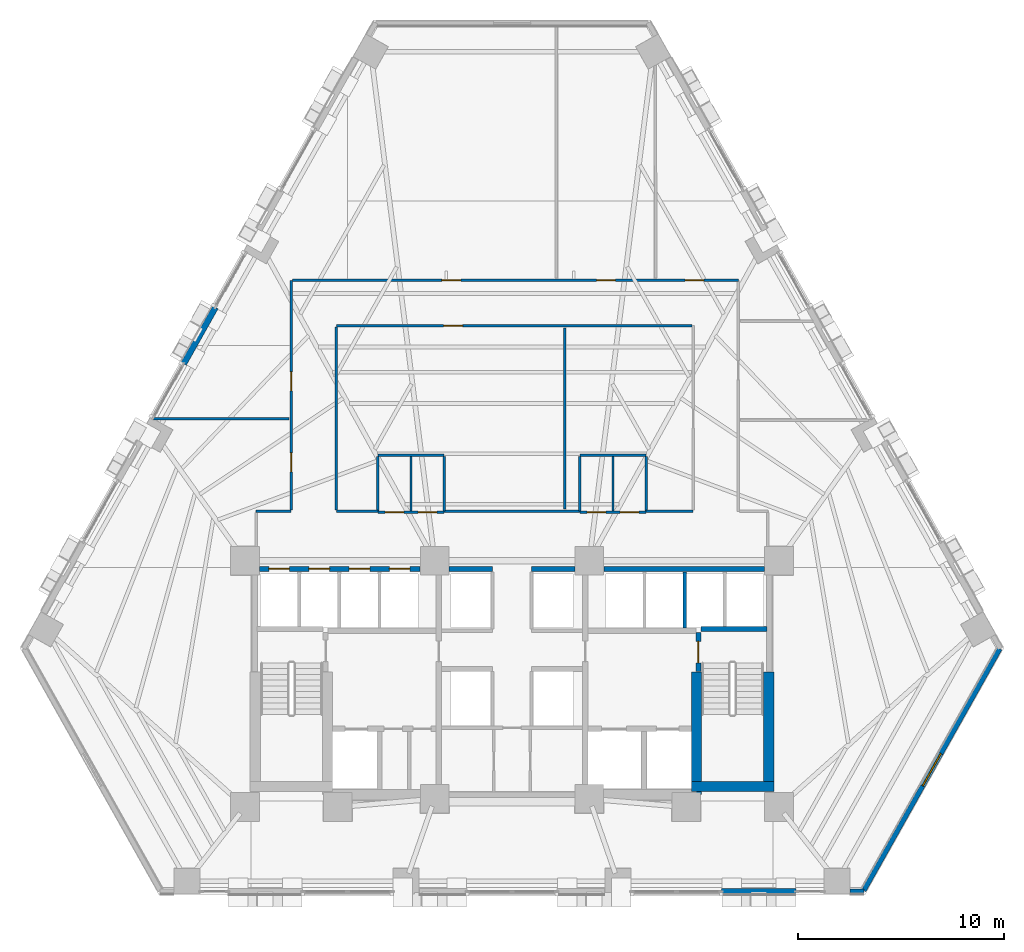
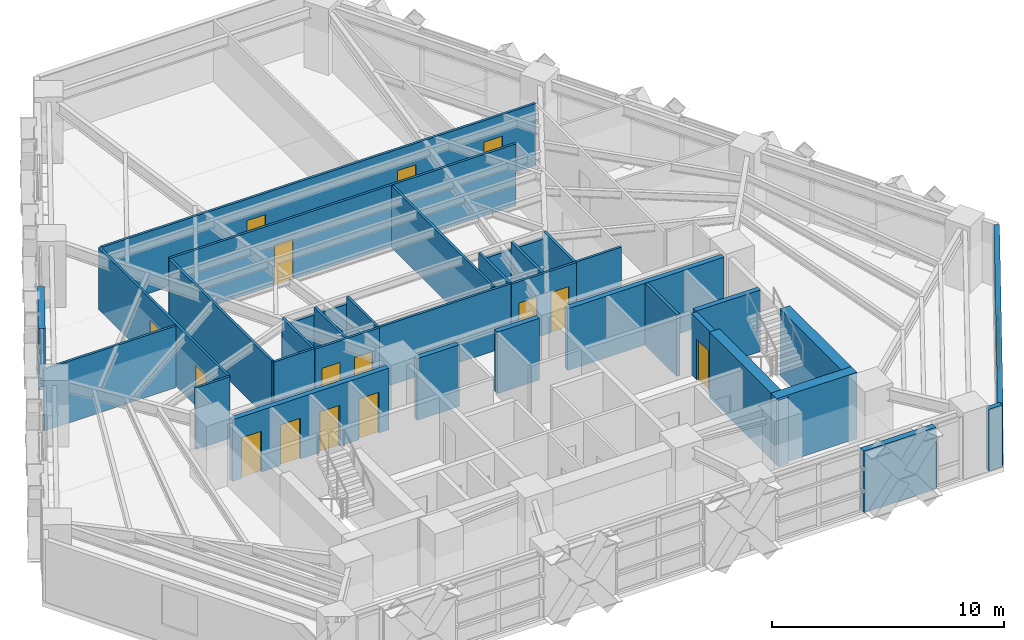
# One storey, part 8 of 13: 34 walls, 15 doors, 1 window, 16 openings.
"""IFC4 building model written with IfcOpenShell, lengths in metres."""

from ifc_helpers import new_model, si_unit, direction, frame, frame_2d, origin, place, context, subcontext, project, spatial, rectangle, extrude, material, layer, layer_set, type_object, element, fill, save


model = new_model("IFC4")

# Units and contexts
model_context = context("Model", 3, precision=1e-05, world=origin(), true_north=direction((0.0, 1.0)))
body_context = subcontext(model_context, "Body", "Model", "MODEL_VIEW")
ifc_project = project(units=[si_unit("LENGTHUNIT", "METRE"), si_unit("AREAUNIT", "SQUARE_METRE"), si_unit("VOLUMEUNIT", "CUBIC_METRE"), si_unit("PLANEANGLEUNIT", "RADIAN"), si_unit("MASSUNIT", "GRAM", prefix="KILO")], contexts=[model_context])

# Site, building, storey
site_placement = place(None, origin())
site = spatial("IfcSite", under=ifc_project, at=site_placement, CompositionType="ELEMENT")
building_placement = place(site_placement, origin())
building = spatial("IfcBuilding", under=site, at=building_placement, Name="Quenlor Broadcast Tower", CompositionType="ELEMENT")
storey_placement = place(building_placement, frame((0.0, 0.0, 52.10009765625)))
storey = spatial("IfcBuildingStorey", under=building, at=storey_placement, Name="L13", CompositionType="ELEMENT", Elevation=52.10009765625)

# Walls
ifc_material_1 = material(Name="Concrete C65/80", Category="concrete")
ifc_layer_1 = layer(ifc_material_1, 0.5)
ifc_layer_set_1 = layer_set([ifc_layer_1], Name="Core Concrete C65/80 Shear Wall 500")
wall_type_1 = type_object("IfcWallType", Name="Core Concrete C65/80 Shear Wall 500", PredefinedType="SHEAR", material=ifc_layer_set_1)
wall_1_placement = place(storey_placement, frame((8.699951171875, -15.75, 0.0), z_axis=(0.0, 0.0, 1.0), x_axis=(1.0, 0.0, 0.0)))
element("IfcWall", 1, at=wall_1_placement, inside=storey, type_object=wall_type_1, Name="L13 Core Shear Wall WS-E2", PredefinedType="SHEAR", context=body_context, shape_type="SweptSolid", body=[
    extrude(rectangle(XDim=4.0, YDim=0.5, at=frame_2d((2.0, 0.0))), origin(), (0.0, 0.0, 1.0), 3.5),
])
wall_2_placement = place(storey_placement, frame((12.449951171875, -15.75, 0.0), z_axis=(0.0, 0.0, 1.0), x_axis=(0.0, 1.0, 0.0)))
element("IfcWall", 2, at=wall_2_placement, inside=storey, type_object=wall_type_1, Name="L13 Core Shear Wall WF-E", PredefinedType="SHEAR", context=body_context, shape_type="SweptSolid", body=[
    extrude(rectangle(XDim=5.550048828125, YDim=0.5, at=frame_2d((2.77490234375, 0.0))), origin(), (0.0, 0.0, 1.0), 3.5),
])
wall_3_placement = place(storey_placement, frame((8.949951171875, -16.14990234375, 0.0), z_axis=(0.0, 0.0, 1.0), x_axis=(0.0, 1.0, 0.0)))
element("IfcWall", 3, at=wall_3_placement, inside=storey, type_object=wall_type_1, Name="L13 Core Shear Wall WI-E", PredefinedType="SHEAR", context=body_context, shape_type="SweptSolid", body=[
    extrude(rectangle(XDim=5.949951171875, YDim=0.5, at=frame_2d((2.97509765625, 0.0))), origin(), (0.0, 0.0, 1.0), 3.5),
])

# Wall, opening, door
ifc_material_2 = material(Name="Concrete C40/50", Category="concrete")
ifc_layer_2 = layer(ifc_material_2, 0.25)
ifc_layer_set_2 = layer_set([ifc_layer_2], Name="Fire Rated Concrete C40/50 Core Wall 250")
wall_type_2 = type_object("IfcWallType", Name="Fire Rated Concrete C40/50 Core Wall 250", PredefinedType="PARTITIONING", material=ifc_layer_set_2)
wall_4_placement = place(storey_placement, frame((9.0400390625, -10.179931640625, 0.0), z_axis=(0.0, 0.0, 1.0), x_axis=(0.0, 1.0, 0.0)))
wall_4 = element("IfcWall", 4, at=wall_4_placement, inside=storey, type_object=wall_type_2, Name="L13 Interior Wall CW-ST2-DR", PredefinedType="PARTITIONING", context=body_context, shape_type="SweptSolid", body=[
    extrude(rectangle(XDim=1.89990234375, YDim=0.25, at=frame_2d((0.949951171875, 0.0))), origin(), (0.0, 0.0, 1.0), 3.25),
])
opening_1_placement = place(wall_4_placement, frame((0.419921875, 0.0, 0.0)))
opening_1 = element("IfcOpeningElement", 5, at=opening_1_placement, cuts=wall_4, Name="Opening FD-1", PredefinedType="OPENING", context=body_context, shape_type="SweptSolid", body=[
    extrude(rectangle(XDim=1.050048828125, YDim=2.14990234375, at=frame_2d((0.52490234375, 1.074951171875))), frame((0.0, 0.135009765625, 0.0), z_axis=(0.0, -1.0, 0.0), x_axis=(1.0, 0.0, 0.0)), (0.0, 0.0, 1.0), 0.27001953125),
])
ifc_material_3 = material(Name="Fire Rated Steel Door Leaf", Category="steel")
door_type_1 = type_object("IfcDoorType", Name="Fire Isolated Stair Door 1050x2150", OperationType="NOTDEFINED", PredefinedType="DOOR", material=ifc_material_3)
door_1_placement = place(opening_1_placement, origin())
door_1 = element("IfcDoor", 6, at=door_1_placement, inside=storey, type_object=door_type_1, Name="L13 Door DR-ST2", OperationType="SINGLE_SWING_RIGHT", OverallHeight=2.14990234375, OverallWidth=1.050048828125, PredefinedType="DOOR", context=body_context, shape_type="SweptSolid", body=[
    extrude(rectangle(XDim=1.050048828125, YDim=2.14990234375, at=frame_2d((0.52490234375, 1.074951171875))), frame((0.0, 0.02490234375, 0.0), z_axis=(0.0, -1.0, 0.0), x_axis=(1.0, 0.0, 0.0)), (0.0, 0.0, 1.0), 0.050048828125),
])
fill(opening_1, door_1)

# Wall
wall_5_placement = place(storey_placement, frame((9.159912109375, -8.1201171875, 0.0), z_axis=(0.0, 0.0, 1.0), x_axis=(1.0, 0.0, 0.0)))
element("IfcWall", 7, at=wall_5_placement, inside=storey, type_object=wall_type_2, Name="L13 Interior Wall CW-ST2-N", PredefinedType="PARTITIONING", context=body_context, shape_type="SweptSolid", body=[
    extrude(rectangle(XDim=3.219970703125, YDim=0.25, at=frame_2d((1.60986328125, 0.0))), origin(), (0.0, 0.0, 1.0), 3.25),
])

# Wall, openings, doors
wall_6_placement = place(storey_placement, frame((-12.248046875, -5.199951171875, 0.0), z_axis=(0.0, 0.0, 1.0), x_axis=(1.0, 0.0, 0.0)))
wall_6 = element("IfcWall", 8, at=wall_6_placement, inside=storey, type_object=wall_type_2, Name="L13 Interior Wall CW-N-W", PredefinedType="PARTITIONING", context=body_context, shape_type="SweptSolid", body=[
    extrude(rectangle(XDim=7.796142578125, YDim=0.25, at=frame_2d((3.89794921875, 0.0))), origin(), (0.0, 0.0, 1.0), 3.25),
])
opening_2_placement = place(wall_6_placement, frame((0.447998046875, 0.0, 0.0)))
opening_2 = element("IfcOpeningElement", 9, at=opening_2_placement, cuts=wall_6, Name="Opening LD-PL-L1", PredefinedType="OPENING", context=body_context, shape_type="SweptSolid", body=[
    extrude(rectangle(XDim=1.0, YDim=2.14990234375, at=frame_2d((0.5, 1.074951171875))), frame((0.0, 0.135009765625, 0.0), z_axis=(0.0, -1.0, 0.0), x_axis=(1.0, 0.0, 0.0)), (0.0, 0.0, 1.0), 0.27001953125),
])
opening_3_placement = place(wall_6_placement, frame((2.39794921875, 0.0, 0.0)))
opening_3 = element("IfcOpeningElement", 10, at=opening_3_placement, cuts=wall_6, Name="Opening LD-PL-L2", PredefinedType="OPENING", context=body_context, shape_type="SweptSolid", body=[
    extrude(rectangle(XDim=1.0, YDim=2.14990234375, at=frame_2d((0.5, 1.074951171875))), frame((0.0, 0.135009765625, 0.0), z_axis=(0.0, -1.0, 0.0), x_axis=(1.0, 0.0, 0.0)), (0.0, 0.0, 1.0), 0.27001953125),
])
opening_4_placement = place(wall_6_placement, frame((4.347900390625, 0.0, 0.0)))
opening_4 = element("IfcOpeningElement", 11, at=opening_4_placement, cuts=wall_6, Name="Opening LD-PL-L3", PredefinedType="OPENING", context=body_context, shape_type="SweptSolid", body=[
    extrude(rectangle(XDim=1.0, YDim=2.14990234375, at=frame_2d((0.5, 1.074951171875))), frame((0.0, 0.135009765625, 0.0), z_axis=(0.0, -1.0, 0.0), x_axis=(1.0, 0.0, 0.0)), (0.0, 0.0, 1.0), 0.27001953125),
])
opening_5_placement = place(wall_6_placement, frame((6.298095703125, 0.0, 0.0)))
opening_5 = element("IfcOpeningElement", 12, at=opening_5_placement, cuts=wall_6, Name="Opening LD-PL-L4", PredefinedType="OPENING", context=body_context, shape_type="SweptSolid", body=[
    extrude(rectangle(XDim=1.0, YDim=2.14990234375, at=frame_2d((0.5, 1.074951171875))), frame((0.0, 0.135009765625, 0.0), z_axis=(0.0, -1.0, 0.0), x_axis=(1.0, 0.0, 0.0)), (0.0, 0.0, 1.0), 0.27001953125),
])
ifc_material_4 = material(Name="Brushed Stainless Steel", Category="steel")
door_type_2 = type_object("IfcDoorType", Name="Passenger Lift Sliding Landing Door 1000x2150", OperationType="NOTDEFINED", PredefinedType="DOOR", material=ifc_material_4)
door_2_placement = place(opening_2_placement, origin())
door_2 = element("IfcDoor", 13, at=door_2_placement, inside=storey, type_object=door_type_2, Name="L13 Door LD-PL-L1", OperationType="SLIDING_TO_LEFT", OverallHeight=2.14990234375, OverallWidth=1.0, PredefinedType="DOOR", context=body_context, shape_type="SweptSolid", body=[
    extrude(rectangle(XDim=1.0, YDim=2.14990234375, at=frame_2d((0.5, 1.074951171875))), frame((0.0, 0.02490234375, 0.0), z_axis=(0.0, -1.0, 0.0), x_axis=(1.0, 0.0, 0.0)), (0.0, 0.0, 1.0), 0.050048828125),
])
fill(opening_2, door_2)
door_3_placement = place(opening_3_placement, origin())
door_3 = element("IfcDoor", 14, at=door_3_placement, inside=storey, type_object=door_type_2, Name="L13 Door LD-PL-L2", OperationType="SLIDING_TO_LEFT", OverallHeight=2.14990234375, OverallWidth=1.0, PredefinedType="DOOR", context=body_context, shape_type="SweptSolid", body=[
    extrude(rectangle(XDim=1.0, YDim=2.14990234375, at=frame_2d((0.5, 1.074951171875))), frame((0.0, 0.02490234375, 0.0), z_axis=(0.0, -1.0, 0.0), x_axis=(1.0, 0.0, 0.0)), (0.0, 0.0, 1.0), 0.050048828125),
])
fill(opening_3, door_3)
door_4_placement = place(opening_4_placement, origin())
door_4 = element("IfcDoor", 15, at=door_4_placement, inside=storey, type_object=door_type_2, Name="L13 Door LD-PL-L3", OperationType="SLIDING_TO_LEFT", OverallHeight=2.14990234375, OverallWidth=1.0, PredefinedType="DOOR", context=body_context, shape_type="SweptSolid", body=[
    extrude(rectangle(XDim=1.0, YDim=2.14990234375, at=frame_2d((0.5, 1.074951171875))), frame((0.0, 0.02490234375, 0.0), z_axis=(0.0, -1.0, 0.0), x_axis=(1.0, 0.0, 0.0)), (0.0, 0.0, 1.0), 0.050048828125),
])
fill(opening_4, door_4)
door_5_placement = place(opening_5_placement, origin())
door_5 = element("IfcDoor", 16, at=door_5_placement, inside=storey, type_object=door_type_2, Name="L13 Door LD-PL-L4", OperationType="SLIDING_TO_LEFT", OverallHeight=2.14990234375, OverallWidth=1.0, PredefinedType="DOOR", context=body_context, shape_type="SweptSolid", body=[
    extrude(rectangle(XDim=1.0, YDim=2.14990234375, at=frame_2d((0.5, 1.074951171875))), frame((0.0, 0.02490234375, 0.0), z_axis=(0.0, -1.0, 0.0), x_axis=(1.0, 0.0, 0.0)), (0.0, 0.0, 1.0), 0.050048828125),
])
fill(opening_5, door_5)

# Walls
wall_7_placement = place(storey_placement, frame((4.451904296875, -5.199951171875, 0.0), z_axis=(0.0, 0.0, 1.0), x_axis=(1.0, 0.0, 0.0)))
element("IfcWall", 17, at=wall_7_placement, inside=storey, type_object=wall_type_2, Name="L13 Interior Wall CW-N-E", PredefinedType="PARTITIONING", context=body_context, shape_type="SweptSolid", body=[
    extrude(rectangle(XDim=7.796142578125, YDim=0.25, at=frame_2d((3.89794921875, 0.0))), origin(), (0.0, 0.0, 1.0), 3.25),
])
for number, where, z_axis, x_axis, name in (
    (18, (-3.048095703125, -5.199951171875, 0.0), (0.0, 0.0, 1.0), (1.0, 0.0, 0.0), "L13 Interior Wall CW-N-M1"),
    (19, (0.949951171875, -5.199951171875, 0.0), (0.0, 0.0, 1.0), (1.0, 0.0, 0.0), "L13 Interior Wall CW-N-M2"),
):
    element("IfcWall", number, at=place(storey_placement, frame(where, z_axis=z_axis, x_axis=x_axis)), inside=storey, type_object=wall_type_2, Name=name, PredefinedType="PARTITIONING", context=body_context, shape_type="SweptSolid", body=[
        extrude(rectangle(XDim=2.09814453125, YDim=0.25, at=frame_2d((1.049072265625, 0.0))), origin(), (0.0, 0.0, 1.0), 3.25),
    ])
ifc_material_5 = material(Name="Gypsum Fireboard Partition", Category="other")
ifc_layer_3 = layer(ifc_material_5, 0.159912109375)
ifc_layer_set_3 = layer_set([ifc_layer_3], Name="Fire Rated Shaft and Corridor Partition 160")
wall_type_3 = type_object("IfcWallType", Name="Fire Rated Shaft and Corridor Partition 160", PredefinedType="PARTITIONING", material=ifc_layer_set_3)
wall_8_placement = place(storey_placement, frame((8.375, -8.072998046875, 0.0), z_axis=(0.0, 0.0, 1.0), x_axis=(0.0, 1.0, 0.0)))
element("IfcWall", 20, at=wall_8_placement, inside=storey, type_object=wall_type_3, Name="L13 Interior Wall CW-PLH-D2", PredefinedType="PARTITIONING", context=body_context, shape_type="SweptSolid", body=[
    extrude(rectangle(XDim=2.73291015625, YDim=0.159912109375, at=frame_2d((1.366455078125, 0.0))), origin(), (0.0, 0.0, 1.0), 3.25),
])

# Wall, openings, doors
ifc_material_6 = material(Name="Gypsum Plasterboard Partition", Category="other")
ifc_layer_4 = layer(ifc_material_6, 0.1201171875)
ifc_layer_set_4 = layer_set([ifc_layer_4], Name="Standard Office Partition 120")
wall_type_4 = type_object("IfcWallType", Name="Standard Office Partition 120", PredefinedType="PARTITIONING", material=ifc_layer_set_4)
wall_9_placement = place(storey_placement, frame((-6.510009765625, -2.43994140625, 0.0), z_axis=(0.0, 0.0, 1.0), x_axis=(1.0, 0.0, 0.0)))
wall_9 = element("IfcWall", 21, at=wall_9_placement, inside=storey, type_object=wall_type_4, Name="L13 Interior Wall PW-WCW-S", PredefinedType="PARTITIONING", context=body_context, shape_type="SweptSolid", body=[
    extrude(rectangle(XDim=3.219970703125, YDim=0.1201171875, at=frame_2d((1.60986328125, 0.0))), origin(), (0.0, 0.0, 1.0), 3.25),
])
opening_6_placement = place(wall_9_placement, frame((0.360107421875, 0.0, 0.0)))
opening_6 = element("IfcOpeningElement", 22, at=opening_6_placement, cuts=wall_9, Name="Opening ID-3", PredefinedType="OPENING", context=body_context, shape_type="SweptSolid", body=[
    extrude(rectangle(XDim=0.89990234375, YDim=2.1201171875, at=frame_2d((0.449951171875, 1.06005859375))), frame((0.0, 0.070068359375, 0.0), z_axis=(0.0, -1.0, 0.0), x_axis=(1.0, 0.0, 0.0)), (0.0, 0.0, 1.0), 0.14013671875),
])
opening_7_placement = place(wall_9_placement, frame((1.9599609375, 0.0, 0.0)))
opening_7 = element("IfcOpeningElement", 23, at=opening_7_placement, cuts=wall_9, Name="Opening ID-3", PredefinedType="OPENING", context=body_context, shape_type="SweptSolid", body=[
    extrude(rectangle(XDim=0.89990234375, YDim=2.1201171875, at=frame_2d((0.449951171875, 1.06005859375))), frame((0.0, 0.070068359375, 0.0), z_axis=(0.0, -1.0, 0.0), x_axis=(1.0, 0.0, 0.0)), (0.0, 0.0, 1.0), 0.14013671875),
])
ifc_material_7 = material(Name="Moisture Resistant Timber Oak", Category="wood")
door_type_3 = type_object("IfcDoorType", Name="Washroom Privacy Door 900x2120", OperationType="NOTDEFINED", PredefinedType="DOOR", material=ifc_material_7)
door_6_placement = place(opening_6_placement, origin())
door_6 = element("IfcDoor", 24, at=door_6_placement, inside=storey, type_object=door_type_3, Name="L13 Door DR-AWC", OperationType="SINGLE_SWING_LEFT", OverallHeight=2.1201171875, OverallWidth=0.89990234375, PredefinedType="DOOR", context=body_context, shape_type="SweptSolid", body=[
    extrude(rectangle(XDim=0.89990234375, YDim=2.1201171875, at=frame_2d((0.449951171875, 1.06005859375))), frame((0.0, 0.02490234375, 0.0), z_axis=(0.0, -1.0, 0.0), x_axis=(1.0, 0.0, 0.0)), (0.0, 0.0, 1.0), 0.050048828125),
])
fill(opening_6, door_6)
door_7_placement = place(opening_7_placement, origin())
door_7 = element("IfcDoor", 25, at=door_7_placement, inside=storey, type_object=door_type_3, Name="L13 Door DR-SHW", OperationType="SINGLE_SWING_RIGHT", OverallHeight=2.1201171875, OverallWidth=0.89990234375, PredefinedType="DOOR", context=body_context, shape_type="SweptSolid", body=[
    extrude(rectangle(XDim=0.89990234375, YDim=2.1201171875, at=frame_2d((0.449951171875, 1.06005859375))), frame((0.0, 0.02490234375, 0.0), z_axis=(0.0, -1.0, 0.0), x_axis=(1.0, 0.0, 0.0)), (0.0, 0.0, 1.0), 0.050048828125),
])
fill(opening_7, door_7)

# Walls
wall_10_placement = place(storey_placement, frame((-6.510009765625, 0.31005859375, 0.0), z_axis=(0.0, 0.0, 1.0), x_axis=(1.0, 0.0, 0.0)))
element("IfcWall", 26, at=wall_10_placement, inside=storey, type_object=wall_type_4, Name="L13 Interior Wall PW-WCW-N", PredefinedType="PARTITIONING", context=body_context, shape_type="SweptSolid", body=[
    extrude(rectangle(XDim=3.219970703125, YDim=0.1201171875, at=frame_2d((1.60986328125, 0.0))), origin(), (0.0, 0.0, 1.0), 2.843505859375),
])
for number, where, z_axis, x_axis, name in (
    (27, (-6.510009765625, -2.3779296875, 0.0), (0.0, 0.0, 1.0), (0.0, 1.0, 0.0), "L13 Interior Wall PW-WCW-W"),
    (28, (-4.89990234375, -2.3779296875, 0.0), (0.0, 0.0, 1.0), (0.0, 1.0, 0.0), "L13 Interior Wall PW-WCW-M"),
    (29, (-3.2900390625, -2.3779296875, 0.0), (0.0, 0.0, 1.0), (0.0, 1.0, 0.0), "L13 Interior Wall PW-WCW-E"),
):
    element("IfcWall", number, at=place(storey_placement, frame(where, z_axis=z_axis, x_axis=x_axis)), inside=storey, type_object=wall_type_4, Name=name, PredefinedType="PARTITIONING", context=body_context, shape_type="SweptSolid", body=[
        extrude(rectangle(XDim=2.6259765625, YDim=0.1201171875, at=frame_2d((1.31298828125, 0.0))), origin(), (0.0, 0.0, 1.0), 3.25),
    ])

# Wall, openings, doors
wall_11_placement = place(storey_placement, frame((3.2900390625, -2.43994140625, 0.0), z_axis=(0.0, 0.0, 1.0), x_axis=(1.0, 0.0, 0.0)))
wall_11 = element("IfcWall", 30, at=wall_11_placement, inside=storey, type_object=wall_type_4, Name="L13 Interior Wall PW-WCE-S", PredefinedType="PARTITIONING", context=body_context, shape_type="SweptSolid", body=[
    extrude(rectangle(XDim=3.219970703125, YDim=0.1201171875, at=frame_2d((1.60986328125, 0.0))), origin(), (0.0, 0.0, 1.0), 3.25),
])
opening_8_placement = place(wall_11_placement, frame((0.360107421875, 0.0, 0.0)))
opening_8 = element("IfcOpeningElement", 31, at=opening_8_placement, cuts=wall_11, Name="Opening ID-3", PredefinedType="OPENING", context=body_context, shape_type="SweptSolid", body=[
    extrude(rectangle(XDim=0.89990234375, YDim=2.1201171875, at=frame_2d((0.449951171875, 1.06005859375))), frame((0.0, 0.070068359375, 0.0), z_axis=(0.0, -1.0, 0.0), x_axis=(1.0, 0.0, 0.0)), (0.0, 0.0, 1.0), 0.14013671875),
])
opening_9_placement = place(wall_11_placement, frame((1.9599609375, 0.0, 0.0)))
opening_9 = element("IfcOpeningElement", 32, at=opening_9_placement, cuts=wall_11, Name="Opening ID-3", PredefinedType="OPENING", context=body_context, shape_type="SweptSolid", body=[
    extrude(rectangle(XDim=0.89990234375, YDim=2.1201171875, at=frame_2d((0.449951171875, 1.06005859375))), frame((0.0, 0.070068359375, 0.0), z_axis=(0.0, -1.0, 0.0), x_axis=(1.0, 0.0, 0.0)), (0.0, 0.0, 1.0), 0.14013671875),
])
door_8_placement = place(opening_8_placement, origin())
door_8 = element("IfcDoor", 33, at=door_8_placement, inside=storey, type_object=door_type_3, Name="L13 Door DR-MWC", OperationType="SINGLE_SWING_LEFT", OverallHeight=2.1201171875, OverallWidth=0.89990234375, PredefinedType="DOOR", context=body_context, shape_type="SweptSolid", body=[
    extrude(rectangle(XDim=0.89990234375, YDim=2.1201171875, at=frame_2d((0.449951171875, 1.06005859375))), frame((0.0, 0.02490234375, 0.0), z_axis=(0.0, -1.0, 0.0), x_axis=(1.0, 0.0, 0.0)), (0.0, 0.0, 1.0), 0.050048828125),
])
fill(opening_8, door_8)
door_9_placement = place(opening_9_placement, origin())
door_9 = element("IfcDoor", 34, at=door_9_placement, inside=storey, type_object=door_type_3, Name="L13 Door DR-FWC", OperationType="SINGLE_SWING_RIGHT", OverallHeight=2.1201171875, OverallWidth=0.89990234375, PredefinedType="DOOR", context=body_context, shape_type="SweptSolid", body=[
    extrude(rectangle(XDim=0.89990234375, YDim=2.1201171875, at=frame_2d((0.449951171875, 1.06005859375))), frame((0.0, 0.02490234375, 0.0), z_axis=(0.0, -1.0, 0.0), x_axis=(1.0, 0.0, 0.0)), (0.0, 0.0, 1.0), 0.050048828125),
])
fill(opening_9, door_9)

# Walls
wall_12_placement = place(storey_placement, frame((3.2900390625, 0.31005859375, 0.0), z_axis=(0.0, 0.0, 1.0), x_axis=(1.0, 0.0, 0.0)))
element("IfcWall", 35, at=wall_12_placement, inside=storey, type_object=wall_type_4, Name="L13 Interior Wall PW-WCE-N", PredefinedType="PARTITIONING", context=body_context, shape_type="SweptSolid", body=[
    extrude(rectangle(XDim=3.219970703125, YDim=0.1201171875, at=frame_2d((1.60986328125, 0.0))), origin(), (0.0, 0.0, 1.0), 2.843505859375),
])
for number, where, z_axis, x_axis, name in (
    (36, (3.2900390625, -2.3779296875, 0.0), (0.0, 0.0, 1.0), (0.0, 1.0, 0.0), "L13 Interior Wall PW-WCE-W"),
    (37, (4.89990234375, -2.3779296875, 0.0), (0.0, 0.0, 1.0), (0.0, 1.0, 0.0), "L13 Interior Wall PW-WCE-M"),
    (38, (6.510009765625, -2.3779296875, 0.0), (0.0, 0.0, 1.0), (0.0, 1.0, 0.0), "L13 Interior Wall PW-WCE-E"),
):
    element("IfcWall", number, at=place(storey_placement, frame(where, z_axis=z_axis, x_axis=x_axis)), inside=storey, type_object=wall_type_4, Name=name, PredefinedType="PARTITIONING", context=body_context, shape_type="SweptSolid", body=[
        extrude(rectangle(XDim=2.6259765625, YDim=0.1201171875, at=frame_2d((1.31298828125, 0.0))), origin(), (0.0, 0.0, 1.0), 3.25),
    ])
wall_13_placement = place(storey_placement, frame((-12.409912109375, -2.39990234375, 0.0), z_axis=(0.0, 0.0, 1.0), x_axis=(1.0, 0.0, 0.0)))
element("IfcWall", 39, at=wall_13_placement, inside=storey, type_object=wall_type_4, Name="L13 Interior Wall PW-CR-01", PredefinedType="PARTITIONING", context=body_context, shape_type="SweptSolid", body=[
    extrude(rectangle(XDim=1.69482421875, YDim=0.1201171875, at=frame_2d((0.847412109375, 0.0))), origin(), (0.0, 0.0, 1.0), 3.25),
])

# Wall, openings, doors
wall_14_placement = place(storey_placement, frame((-10.715087890625, -2.337890625, 0.0), z_axis=(0.0, 0.0, 1.0), x_axis=(0.0, 1.0, 0.0)))
wall_14 = element("IfcWall", 40, at=wall_14_placement, inside=storey, type_object=wall_type_4, Name="L13 Interior Wall PW-CR-02", PredefinedType="PARTITIONING", context=body_context, shape_type="SweptSolid", body=[
    extrude(rectangle(XDim=11.137939453125, YDim=0.1201171875, at=frame_2d((5.56884765625, 0.0))), origin(), (0.0, 0.0, 1.0), 3.25),
])
opening_10_placement = place(wall_14_placement, frame((5.778076171875, 0.0, 0.0)))
opening_10 = element("IfcOpeningElement", 41, at=opening_10_placement, cuts=wall_14, Name="Opening ID-1", PredefinedType="OPENING", context=body_context, shape_type="SweptSolid", body=[
    extrude(rectangle(XDim=0.919921875, YDim=2.1201171875, at=frame_2d((0.4599609375, 1.06005859375))), frame((0.0, 0.070068359375, 0.0), z_axis=(0.0, -1.0, 0.0), x_axis=(1.0, 0.0, 0.0)), (0.0, 0.0, 1.0), 0.14013671875),
])
opening_11_placement = place(wall_14_placement, frame((1.846923828125, 0.0, 0.0)))
opening_11 = element("IfcOpeningElement", 42, at=opening_11_placement, cuts=wall_14, Name="Opening ID-1", PredefinedType="OPENING", context=body_context, shape_type="SweptSolid", body=[
    extrude(rectangle(XDim=0.919921875, YDim=2.1201171875, at=frame_2d((0.4599609375, 1.06005859375))), frame((0.0, 0.070068359375, 0.0), z_axis=(0.0, -1.0, 0.0), x_axis=(1.0, 0.0, 0.0)), (0.0, 0.0, 1.0), 0.14013671875),
])
ifc_material_8 = material(Name="Solid Core Timber Oak", Category="wood")
door_type_4 = type_object("IfcDoorType", Name="Single Leaf Timber Office Door 920x2120", OperationType="NOTDEFINED", PredefinedType="DOOR", material=ifc_material_8)
door_10_placement = place(opening_10_placement, origin())
door_10 = element("IfcDoor", 43, at=door_10_placement, inside=storey, type_object=door_type_4, Name="L13 Door DR-RM05", OperationType="SINGLE_SWING_LEFT", OverallHeight=2.1201171875, OverallWidth=0.919921875, PredefinedType="DOOR", context=body_context, shape_type="SweptSolid", body=[
    extrude(rectangle(XDim=0.919921875, YDim=2.1201171875, at=frame_2d((0.4599609375, 1.06005859375))), frame((0.0, 0.02490234375, 0.0), z_axis=(0.0, -1.0, 0.0), x_axis=(1.0, 0.0, 0.0)), (0.0, 0.0, 1.0), 0.050048828125),
])
fill(opening_10, door_10)
door_11_placement = place(opening_11_placement, origin())
door_11 = element("IfcDoor", 44, at=door_11_placement, inside=storey, type_object=door_type_4, Name="L13 Door DR-RM08", OperationType="SINGLE_SWING_RIGHT", OverallHeight=2.1201171875, OverallWidth=0.919921875, PredefinedType="DOOR", context=body_context, shape_type="SweptSolid", body=[
    extrude(rectangle(XDim=0.919921875, YDim=2.1201171875, at=frame_2d((0.4599609375, 1.06005859375))), frame((0.0, 0.02490234375, 0.0), z_axis=(0.0, -1.0, 0.0), x_axis=(1.0, 0.0, 0.0)), (0.0, 0.0, 1.0), 0.050048828125),
])
fill(opening_11, door_11)

wall_15_placement = place(storey_placement, frame((-10.653076171875, 8.800048828125, 0.0), z_axis=(0.0, 0.0, 1.0), x_axis=(1.0, 0.0, 0.0)))
wall_15 = element("IfcWall", 45, at=wall_15_placement, inside=storey, type_object=wall_type_4, Name="L13 Interior Wall PW-CR-03", PredefinedType="PARTITIONING", context=body_context, shape_type="SweptSolid", body=[
    extrude(rectangle(XDim=21.63818359375, YDim=0.1201171875, at=frame_2d((10.819091796875, 0.0))), origin(), (0.0, 0.0, 1.0), 3.25),
])
opening_12_placement = place(wall_15_placement, frame((14.7529296875, 0.0, 0.0)))
opening_12 = element("IfcOpeningElement", 46, at=opening_12_placement, cuts=wall_15, Name="Opening ID-1", PredefinedType="OPENING", context=body_context, shape_type="SweptSolid", body=[
    extrude(rectangle(XDim=0.919921875, YDim=2.1201171875, at=frame_2d((0.4599609375, 1.06005859375))), frame((0.0, 0.070068359375, 0.0), z_axis=(0.0, -1.0, 0.0), x_axis=(1.0, 0.0, 0.0)), (0.0, 0.0, 1.0), 0.14013671875),
])
opening_13_placement = place(wall_15_placement, frame((7.2529296875, 0.0, 0.0)))
opening_13 = element("IfcOpeningElement", 47, at=opening_13_placement, cuts=wall_15, Name="Opening ID-1", PredefinedType="OPENING", context=body_context, shape_type="SweptSolid", body=[
    extrude(rectangle(XDim=0.919921875, YDim=2.1201171875, at=frame_2d((0.4599609375, 1.06005859375))), frame((0.0, 0.070068359375, 0.0), z_axis=(0.0, -1.0, 0.0), x_axis=(1.0, 0.0, 0.0)), (0.0, 0.0, 1.0), 0.14013671875),
])
opening_14_placement = place(wall_15_placement, frame((19.0458984375, 0.0, 0.0)))
opening_14 = element("IfcOpeningElement", 48, at=opening_14_placement, cuts=wall_15, Name="Opening ID-1", PredefinedType="OPENING", context=body_context, shape_type="SweptSolid", body=[
    extrude(rectangle(XDim=0.919921875, YDim=2.1201171875, at=frame_2d((0.4599609375, 1.06005859375))), frame((0.0, 0.070068359375, 0.0), z_axis=(0.0, -1.0, 0.0), x_axis=(1.0, 0.0, 0.0)), (0.0, 0.0, 1.0), 0.14013671875),
])
door_12_placement = place(opening_12_placement, origin())
door_12 = element("IfcDoor", 49, at=door_12_placement, inside=storey, type_object=door_type_4, Name="L13 Door DR-RM01", OperationType="SINGLE_SWING_LEFT", OverallHeight=2.1201171875, OverallWidth=0.919921875, PredefinedType="DOOR", context=body_context, shape_type="SweptSolid", body=[
    extrude(rectangle(XDim=0.919921875, YDim=2.1201171875, at=frame_2d((0.4599609375, 1.06005859375))), frame((0.0, 0.02490234375, 0.0), z_axis=(0.0, -1.0, 0.0), x_axis=(1.0, 0.0, 0.0)), (0.0, 0.0, 1.0), 0.050048828125),
])
fill(opening_12, door_12)
door_13_placement = place(opening_13_placement, origin())
door_13 = element("IfcDoor", 50, at=door_13_placement, inside=storey, type_object=door_type_4, Name="L13 Door DR-RM02", OperationType="SINGLE_SWING_RIGHT", OverallHeight=2.1201171875, OverallWidth=0.919921875, PredefinedType="DOOR", context=body_context, shape_type="SweptSolid", body=[
    extrude(rectangle(XDim=0.919921875, YDim=2.1201171875, at=frame_2d((0.4599609375, 1.06005859375))), frame((0.0, 0.02490234375, 0.0), z_axis=(0.0, -1.0, 0.0), x_axis=(1.0, 0.0, 0.0)), (0.0, 0.0, 1.0), 0.050048828125),
])
fill(opening_13, door_13)
door_14_placement = place(opening_14_placement, origin())
door_14 = element("IfcDoor", 51, at=door_14_placement, inside=storey, type_object=door_type_4, Name="L13 Door DR-RM03", OperationType="SINGLE_SWING_LEFT", OverallHeight=2.1201171875, OverallWidth=0.919921875, PredefinedType="DOOR", context=body_context, shape_type="SweptSolid", body=[
    extrude(rectangle(XDim=0.919921875, YDim=2.1201171875, at=frame_2d((0.4599609375, 1.06005859375))), frame((0.0, 0.02490234375, 0.0), z_axis=(0.0, -1.0, 0.0), x_axis=(1.0, 0.0, 0.0)), (0.0, 0.0, 1.0), 0.050048828125),
])
fill(opening_14, door_14)

# Walls
wall_16_placement = place(storey_placement, frame((-8.514892578125, -2.39990234375, 0.0), z_axis=(0.0, 0.0, 1.0), x_axis=(1.0, 0.0, 0.0)))
element("IfcWall", 52, at=wall_16_placement, inside=storey, type_object=wall_type_4, Name="L13 Interior Wall PW-CR-08", PredefinedType="PARTITIONING", context=body_context, shape_type="SweptSolid", body=[
    extrude(rectangle(XDim=2.0029296875, YDim=0.1201171875, at=frame_2d((1.00146484375, 0.0))), origin(), (0.0, 0.0, 1.0), 3.25),
])
wall_17_placement = place(storey_placement, frame((-3.2880859375, -2.39990234375, 0.0), z_axis=(0.0, 0.0, 1.0), x_axis=(1.0, 0.0, 0.0)))
element("IfcWall", 53, at=wall_17_placement, inside=storey, type_object=wall_type_4, Name="L13 Interior Wall PW-CR-08S2", PredefinedType="PARTITIONING", context=body_context, shape_type="SweptSolid", body=[
    extrude(rectangle(XDim=6.576171875, YDim=0.1201171875, at=frame_2d((3.2880859375, 0.0))), origin(), (0.0, 0.0, 1.0), 3.25),
])
wall_18_placement = place(storey_placement, frame((6.511962890625, -2.39990234375, 0.0), z_axis=(0.0, 0.0, 1.0), x_axis=(1.0, 0.0, 0.0)))
element("IfcWall", 54, at=wall_18_placement, inside=storey, type_object=wall_type_4, Name="L13 Interior Wall PW-CR-08S3", PredefinedType="PARTITIONING", context=body_context, shape_type="SweptSolid", body=[
    extrude(rectangle(XDim=2.27294921875, YDim=0.1201171875, at=frame_2d((1.136474609375, 0.0))), origin(), (0.0, 0.0, 1.0), 3.25),
])

# Wall, opening, door
wall_19_placement = place(storey_placement, frame((8.722900390625, 6.60009765625, 0.0), z_axis=(0.0, 0.0, 1.0), x_axis=(-1.0, 0.0, 0.0)))
wall_19 = element("IfcWall", 55, at=wall_19_placement, inside=storey, type_object=wall_type_4, Name="L13 Interior Wall PW-CR-10", PredefinedType="PARTITIONING", context=body_context, shape_type="SweptSolid", body=[
    extrude(rectangle(XDim=17.23779296875, YDim=0.1201171875, at=frame_2d((8.618896484375, 0.0))), origin(), (0.0, 0.0, 1.0), 3.25),
])
opening_15_placement = place(wall_19_placement, frame((11.115966796875, 0.0, 0.0)))
opening_15 = element("IfcOpeningElement", 56, at=opening_15_placement, cuts=wall_19, Name="Opening ID-1", PredefinedType="OPENING", context=body_context, shape_type="SweptSolid", body=[
    extrude(rectangle(XDim=0.919921875, YDim=2.1201171875, at=frame_2d((0.4599609375, 1.06005859375))), frame((0.0, 0.070068359375, 0.0), z_axis=(0.0, -1.0, 0.0), x_axis=(1.0, 0.0, 0.0)), (0.0, 0.0, 1.0), 0.14013671875),
])
door_15_placement = place(opening_15_placement, origin())
door_15 = element("IfcDoor", 57, at=door_15_placement, inside=storey, type_object=door_type_4, Name="L13 Door DR-RM07", OperationType="SINGLE_SWING_LEFT", OverallHeight=2.1201171875, OverallWidth=0.919921875, PredefinedType="DOOR", context=body_context, shape_type="SweptSolid", body=[
    extrude(rectangle(XDim=0.919921875, YDim=2.1201171875, at=frame_2d((0.4599609375, 1.06005859375))), frame((0.0, 0.02490234375, 0.0), z_axis=(0.0, -1.0, 0.0), x_axis=(1.0, 0.0, 0.0)), (0.0, 0.0, 1.0), 0.050048828125),
])
fill(opening_15, door_15)

# Walls
wall_20_placement = place(storey_placement, frame((-8.514892578125, 6.5380859375, 0.0), z_axis=(0.0, 0.0, 1.0), x_axis=(0.0, -1.0, 0.0)))
element("IfcWall", 58, at=wall_20_placement, inside=storey, type_object=wall_type_4, Name="L13 Interior Wall PW-CR-11", PredefinedType="PARTITIONING", context=body_context, shape_type="SweptSolid", body=[
    extrude(rectangle(XDim=8.8759765625, YDim=0.1201171875, at=frame_2d((4.43798828125, 0.0))), origin(), (0.0, 0.0, 1.0), 3.25),
])
wall_21_placement = place(storey_placement, frame((-10.824951171875, 2.080078125, 0.0), z_axis=(0.0, 0.0, 1.0), x_axis=(-1.0, 0.0, 0.0)))
element("IfcWall", 59, at=wall_21_placement, inside=storey, type_object=wall_type_4, Name="L13 Interior Wall PW-DV-05", PredefinedType="PARTITIONING", context=body_context, shape_type="SweptSolid", body=[
    extrude(rectangle(XDim=6.56591796875, YDim=0.1201171875, at=frame_2d((3.282958984375, 0.0))), origin(), (0.0, 0.0, 1.0), 3.25),
])
wall_22_placement = place(storey_placement, frame((2.551025390625, -2.2900390625, 0.0), z_axis=(0.0, 0.0, 1.0), x_axis=(0.0, 1.0, 0.0)))
element("IfcWall", 60, at=wall_22_placement, inside=storey, type_object=wall_type_4, Name="L13 Interior Wall PW-DV-06", PredefinedType="PARTITIONING", context=body_context, shape_type="SweptSolid", body=[
    extrude(rectangle(XDim=8.780029296875, YDim=0.1201171875, at=frame_2d((4.39013671875, 0.0))), origin(), (0.0, 0.0, 1.0), 3.25),
])
ifc_material_9 = material(Name="Precast concrete C40/50", Category="concrete")
ifc_layer_5 = layer(ifc_material_9, 0.239990234375)
ifc_layer_set_5 = layer_set([ifc_layer_5], Name="Terrace Threshold Precast Concrete C40/50 Wall 240")
wall_type_5 = type_object("IfcWallType", Name="Terrace Threshold Precast Concrete C40/50 Wall 240", PredefinedType="STANDARD", material=ifc_layer_set_5)
wall_23_placement = place(storey_placement, frame((17.075927734375, -20.840087890625, 0.0), z_axis=(0.0, 0.0, 1.0), x_axis=(-1.0, 0.0, 0.0)))
element("IfcWall", 61, at=wall_23_placement, inside=storey, type_object=wall_type_5, Name="L13 Exterior Wall L13-SHD-SS0", PredefinedType="STANDARD", context=body_context, shape_type="SweptSolid", body=[
    extrude(rectangle(XDim=0.680908203125, YDim=0.239990234375, at=frame_2d((0.34033203125, 0.0))), origin(), (0.0, 0.0, 1.0), 3.25),
])

# Wall, opening, window
wall_24_placement = place(storey_placement, frame((17.06689453125, -20.79638671875, 0.0), z_axis=(0.0, 0.0, 1.0), x_axis=(0.490268135177, 0.871571658345, 0.0)))
wall_24 = element("IfcWall", 62, at=wall_24_placement, inside=storey, type_object=wall_type_5, Name="L13 Exterior Wall L13-CNR-06", PredefinedType="STANDARD", context=body_context, shape_type="SweptSolid", body=[
    extrude(rectangle(XDim=13.44775390625, YDim=0.239990234375, at=frame_2d((6.723876953125, 0.0))), origin(), (0.0, 0.0, 1.0), 3.25),
])
opening_16_placement = place(wall_24_placement, frame((5.823974609375, 0.0, 0.89990234375)))
opening_16 = element("IfcOpeningElement", 63, at=opening_16_placement, cuts=wall_24, Name="Opening WN-1", PredefinedType="OPENING", context=body_context, shape_type="SweptSolid", body=[
    extrude(rectangle(XDim=1.800048828125, YDim=2.10009765625, at=frame_2d((0.89990234375, 1.050048828125))), frame((0.0, 0.1298828125, 0.0), z_axis=(0.0, -1.0, 0.0), x_axis=(1.0, 0.0, 0.0)), (0.0, 0.0, 1.0), 0.260009765625),
])
ifc_material_10 = material(Name="Thermally Broken Aluminium and Low-E Glass", Category="aluminium")
window_type = type_object("IfcWindowType", Name="Tower Acoustic Vision Window 1800x2100", PartitioningType="SINGLE_PANEL", PredefinedType="WINDOW", material=ifc_material_10)
window_placement = place(opening_16_placement, origin())
window = element("IfcWindow", 64, at=window_placement, inside=storey, type_object=window_type, Name="L13 Corner Chamfer Window 6", OverallHeight=2.10009765625, OverallWidth=1.800048828125, PartitioningType="SINGLE_PANEL", PredefinedType="WINDOW", context=body_context, shape_type="SweptSolid", body=[
    extrude(rectangle(XDim=1.800048828125, YDim=2.10009765625, at=frame_2d((0.89990234375, 1.050048828125))), frame((0.0, 0.030029296875, 0.0), z_axis=(0.0, -1.0, 0.0), x_axis=(1.0, 0.0, 0.0)), (0.0, 0.0, 1.0), 0.06005859375),
])
fill(opening_16, window)

# Walls
ifc_material_11 = material(Name="Precast concrete C40/50", Category="concrete")
ifc_layer_6 = layer(ifc_material_11, 0.300048828125)
ifc_layer_set_6 = layer_set([ifc_layer_6], Name="Terracotta Precast Concrete C40/50 Spandrel Wall 300")
wall_type_6 = type_object("IfcWallType", Name="Terracotta Precast Concrete C40/50 Spandrel Wall 300", PredefinedType="STANDARD", material=ifc_layer_set_6)
wall_25_placement = place(storey_placement, frame((13.766845703125, -20.840087890625, 0.0), z_axis=(0.0, 0.0, 1.0), x_axis=(-1.0, 0.0, 0.0)))
element("IfcWall", 65, at=wall_25_placement, inside=storey, type_object=wall_type_6, Name="L13 Exterior Wall L13-SA-SP1", PredefinedType="STANDARD", context=body_context, shape_type="SweptSolid", body=[
    extrude(rectangle(XDim=3.592041015625, YDim=0.300048828125, at=frame_2d((1.7958984375, 0.0))), origin(), (0.0, 0.0, 1.0), 3.25),
])
wall_26_placement = place(storey_placement, frame((-15.93017578125, 4.75341796875, 0.0), z_axis=(0.0, 0.0, 1.0), x_axis=(0.490290775148, 0.871558922738, 0.0)))
element("IfcWall", 66, at=wall_26_placement, inside=storey, type_object=wall_type_6, Name="L13 Exterior Wall L13-NW-SP1", PredefinedType="STANDARD", context=body_context, shape_type="SweptSolid", body=[
    extrude(rectangle(XDim=3.1396484375, YDim=0.300048828125, at=frame_2d((1.56982421875, 0.0))), origin(), (0.0, 0.0, 1.0), 3.25),
])

save(model, "model.ifc")
